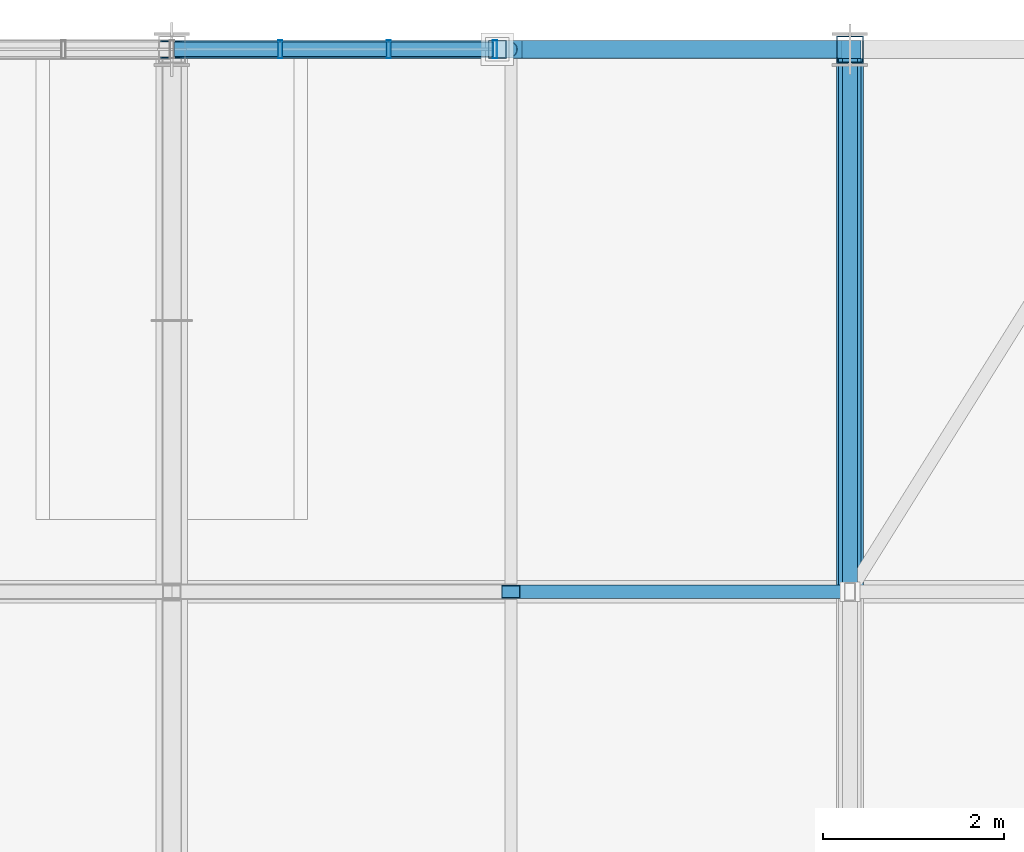
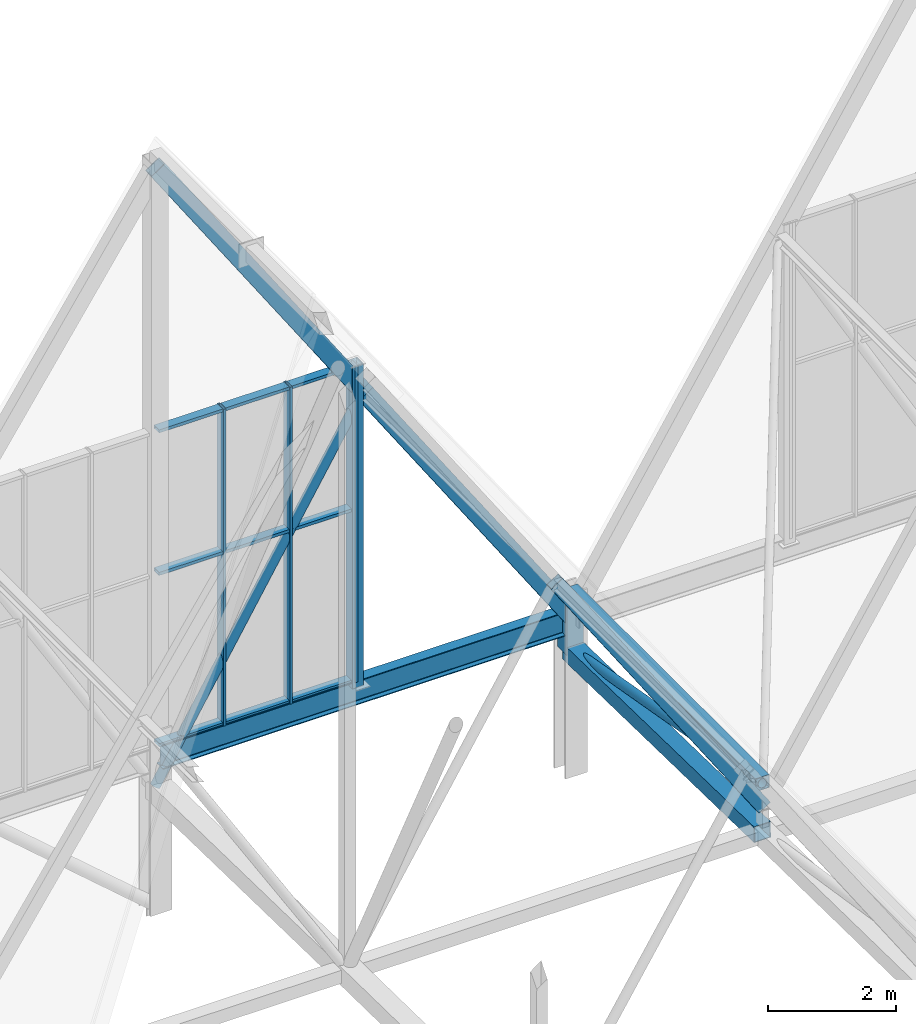
# One storey, part 109 of 324: 21 members, 1 beam, 1 element without a shape of its own.
"""IFC4 building model written with IfcOpenShell, lengths in metres."""

from ifc_helpers import new_model, si_unit, direction, frame, origin, origin_2d, place, context, subcontext, project, spatial, hollow_rectangle, hollow_circle, i_section, extrude, material, layer, layer_set, material_profile, profile_set, type_object, element, aggregate, save


model = new_model("IFC4")

# Units and contexts
model_context = context("Model", 3, precision=1e-05, world=origin(), true_north=direction((0.0, 1.0)))
body_context = subcontext(model_context, "Body", "Model", "MODEL_VIEW")
ifc_project = project(units=[si_unit("LENGTHUNIT", "METRE"), si_unit("AREAUNIT", "SQUARE_METRE"), si_unit("VOLUMEUNIT", "CUBIC_METRE"), si_unit("PLANEANGLEUNIT", "RADIAN"), si_unit("MASSUNIT", "GRAM", prefix="KILO")], contexts=[model_context])

# Site, building, storey
site_placement = place(None, origin())
site = spatial("IfcSite", under=ifc_project, at=site_placement, CompositionType="ELEMENT")
building_placement = place(site_placement, origin())
building = spatial("IfcBuilding", under=site, at=building_placement, Name="Solvenia Promenade Tram Depot", CompositionType="ELEMENT")
storey_placement = place(building_placement, frame((0.0, 0.0, 4.5)))
storey = spatial("IfcBuildingStorey", under=building, at=storey_placement, Name="L01", CompositionType="ELEMENT", Elevation=4.5)

# Curtain wall, members
ifc_material_1 = material(Name="Anodized aluminium AW-6063 T6", Category="aluminium")
ifc_layer = layer(ifc_material_1, 0.14990234375, Name="Anodized aluminium AW-6063 T6", Category="aluminium")
ifc_layer_set = layer_set([ifc_layer], Name="Anodized aluminium AW-6063 T6")
curtain_wall_type = type_object("IfcCurtainWallType", Name="CW-Gable-1200", PredefinedType="NOTDEFINED", material=ifc_layer_set)
curtain_wall_placement = place(storey_placement, origin())
curtain_wall = element("IfcCurtainWall", 1, at=curtain_wall_placement, inside=storey, type_object=curtain_wall_type, Name="North Zigzag Gable 01 Peak Glazing", PredefinedType="NOTDEFINED")
ifc_material_profile_1 = material_profile(ifc_material_1, hollow_rectangle(XDim=0.199951171875, YDim=0.048095703125, WallThickness=0.00390625, at=origin_2d()), Name="ALU-M3", Category="aluminium")
ifc_profile_set_1 = profile_set([ifc_material_profile_1], Name="Anodized aluminium AW-6063 T6")
member_type_1 = type_object("IfcMemberType", Name="CWM-Mullion-3", PredefinedType="MULLION", material=ifc_profile_set_1)
member_1_placement = place(storey_placement, frame((8.699951171875, 126.0, 3.10009765625), z_axis=(0.0, 0.0, 1.0), x_axis=(0.0, 1.0, 0.0)))
member_1 = element("IfcMember", 2, at=member_1_placement, type_object=member_type_1, Name="CW-3 mullion 5", PredefinedType="MULLION", context=body_context, shape_type="SweptSolid", body=[
    extrude(hollow_rectangle(XDim=0.199951171875, YDim=0.048095703125, WallThickness=0.00390625, at=origin_2d()), origin(), (0.0, 0.0, 1.0), 6.0498046875),
])
member_2_placement = place(storey_placement, frame((9.89990234375, 126.0, 3.10009765625), z_axis=(0.0, 0.0, 1.0), x_axis=(0.0, 1.0, 0.0)))
member_2 = element("IfcMember", 3, at=member_2_placement, type_object=member_type_1, Name="CW-3 mullion 6", PredefinedType="MULLION", context=body_context, shape_type="SweptSolid", body=[
    extrude(hollow_rectangle(XDim=0.199951171875, YDim=0.048095703125, WallThickness=0.00390625, at=origin_2d()), origin(), (0.0, 0.0, 1.0), 6.0498046875),
])
member_3_placement = place(storey_placement, frame((11.075927734375, 126.0, 3.10009765625), z_axis=(0.0, 0.0, 1.0), x_axis=(0.0, 1.0, 0.0)))
member_3 = element("IfcMember", 4, at=member_3_placement, type_object=member_type_1, Name="CW-3 mullion 7", PredefinedType="MULLION", context=body_context, shape_type="SweptSolid", body=[
    extrude(hollow_rectangle(XDim=0.199951171875, YDim=0.048095703125, WallThickness=0.00390625, at=origin_2d()), origin(), (0.0, 0.0, 1.0), 6.0498046875),
])
ifc_material_profile_2 = material_profile(ifc_material_1, hollow_rectangle(XDim=0.159912109375, YDim=0.05810546875, WallThickness=0.00390625, at=origin_2d()), Name="ALU-T3", Category="aluminium")
ifc_profile_set_2 = profile_set([ifc_material_profile_2], Name="Anodized aluminium AW-6063 T6")
member_type_2 = type_object("IfcMemberType", Name="CWT-Transom-3", PredefinedType="USERDEFINED", material=ifc_profile_set_2)
member_4_placement = place(storey_placement, frame((7.52392578125, 126.0, 3.12890625), z_axis=(1.0, 0.0, 0.0), x_axis=(0.0, 1.0, 0.0)))
member_4 = element("IfcMember", 5, at=member_4_placement, type_object=member_type_2, Name="CW-3 transom 4.1", ObjectType="TRANSOM", PredefinedType="USERDEFINED", context=body_context, shape_type="SweptSolid", body=[
    extrude(hollow_rectangle(XDim=0.159912109375, YDim=0.05810546875, WallThickness=0.00390625, at=origin_2d()), origin(), (0.0, 0.0, 1.0), 1.152099609375),
])
member_5_placement = place(storey_placement, frame((7.52392578125, 126.0, 6.39990234375), z_axis=(1.0, 0.0, 0.0), x_axis=(0.0, 1.0, 0.0)))
member_5 = element("IfcMember", 6, at=member_5_placement, type_object=member_type_2, Name="CW-3 transom 4.2", ObjectType="TRANSOM", PredefinedType="USERDEFINED", context=body_context, shape_type="SweptSolid", body=[
    extrude(hollow_rectangle(XDim=0.159912109375, YDim=0.05810546875, WallThickness=0.00390625, at=origin_2d()), origin(), (0.0, 0.0, 1.0), 1.152099609375),
])
member_6_placement = place(storey_placement, frame((7.52392578125, 126.0, 9.12109375), z_axis=(1.0, 0.0, 0.0), x_axis=(0.0, 1.0, 0.0)))
member_6 = element("IfcMember", 7, at=member_6_placement, type_object=member_type_2, Name="CW-3 transom 4.3", ObjectType="TRANSOM", PredefinedType="USERDEFINED", context=body_context, shape_type="SweptSolid", body=[
    extrude(hollow_rectangle(XDim=0.159912109375, YDim=0.05810546875, WallThickness=0.00390625, at=origin_2d()), origin(), (0.0, 0.0, 1.0), 1.152099609375),
])
member_7_placement = place(storey_placement, frame((8.72412109375, 126.0, 3.12890625), z_axis=(1.0, 0.0, 0.0), x_axis=(0.0, 1.0, 0.0)))
member_7 = element("IfcMember", 8, at=member_7_placement, type_object=member_type_2, Name="CW-3 transom 5.1", ObjectType="TRANSOM", PredefinedType="USERDEFINED", context=body_context, shape_type="SweptSolid", body=[
    extrude(hollow_rectangle(XDim=0.159912109375, YDim=0.05810546875, WallThickness=0.00390625, at=origin_2d()), origin(), (0.0, 0.0, 1.0), 1.15185546875),
])
member_8_placement = place(storey_placement, frame((8.72412109375, 126.0, 6.39990234375), z_axis=(1.0, 0.0, 0.0), x_axis=(0.0, 1.0, 0.0)))
member_8 = element("IfcMember", 9, at=member_8_placement, type_object=member_type_2, Name="CW-3 transom 5.2", ObjectType="TRANSOM", PredefinedType="USERDEFINED", context=body_context, shape_type="SweptSolid", body=[
    extrude(hollow_rectangle(XDim=0.159912109375, YDim=0.05810546875, WallThickness=0.00390625, at=origin_2d()), origin(), (0.0, 0.0, 1.0), 1.15185546875),
])
member_9_placement = place(storey_placement, frame((8.72412109375, 126.0, 9.12109375), z_axis=(1.0, 0.0, 0.0), x_axis=(0.0, 1.0, 0.0)))
member_9 = element("IfcMember", 10, at=member_9_placement, type_object=member_type_2, Name="CW-3 transom 5.3", ObjectType="TRANSOM", PredefinedType="USERDEFINED", context=body_context, shape_type="SweptSolid", body=[
    extrude(hollow_rectangle(XDim=0.159912109375, YDim=0.05810546875, WallThickness=0.00390625, at=origin_2d()), origin(), (0.0, 0.0, 1.0), 1.15185546875),
])
member_10_placement = place(storey_placement, frame((9.924072265625, 126.0, 3.12890625), z_axis=(1.0, 0.0, 0.0), x_axis=(0.0, 1.0, 0.0)))
member_10 = element("IfcMember", 11, at=member_10_placement, type_object=member_type_2, Name="CW-3 transom 6.1", ObjectType="TRANSOM", PredefinedType="USERDEFINED", context=body_context, shape_type="SweptSolid", body=[
    extrude(hollow_rectangle(XDim=0.159912109375, YDim=0.05810546875, WallThickness=0.00390625, at=origin_2d()), origin(), (0.0, 0.0, 1.0), 1.1279296875),
])
member_11_placement = place(storey_placement, frame((9.924072265625, 126.0, 6.39990234375), z_axis=(1.0, 0.0, 0.0), x_axis=(0.0, 1.0, 0.0)))
member_11 = element("IfcMember", 12, at=member_11_placement, type_object=member_type_2, Name="CW-3 transom 6.2", ObjectType="TRANSOM", PredefinedType="USERDEFINED", context=body_context, shape_type="SweptSolid", body=[
    extrude(hollow_rectangle(XDim=0.159912109375, YDim=0.05810546875, WallThickness=0.00390625, at=origin_2d()), origin(), (0.0, 0.0, 1.0), 1.1279296875),
])
member_12_placement = place(storey_placement, frame((9.924072265625, 126.0, 9.12109375), z_axis=(1.0, 0.0, 0.0), x_axis=(0.0, 1.0, 0.0)))
member_12 = element("IfcMember", 13, at=member_12_placement, type_object=member_type_2, Name="CW-3 transom 6.3", ObjectType="TRANSOM", PredefinedType="USERDEFINED", context=body_context, shape_type="SweptSolid", body=[
    extrude(hollow_rectangle(XDim=0.159912109375, YDim=0.05810546875, WallThickness=0.00390625, at=origin_2d()), origin(), (0.0, 0.0, 1.0), 1.1279296875),
])
aggregate(curtain_wall, [member_1, member_2, member_3, member_4, member_5, member_6, member_7, member_8, member_9, member_10, member_11, member_12])

# Members
ifc_material_2 = material(Name="Structural steel ASTM A500 Gr. C", Category="steel")
ifc_material_profile_3 = material_profile(ifc_material_2, hollow_rectangle(XDim=0.14990234375, YDim=0.25, WallThickness=0.010009765625, at=origin_2d()), Name="HSS250x150x10", Category="steel")
ifc_profile_set_3 = profile_set([ifc_material_profile_3], Name="Structural steel ASTM A500 Gr. C")
member_type_3 = type_object("IfcMemberType", Name="Chord-HSS250x150x10", PredefinedType="CHORD", material=ifc_profile_set_3)
member_13_placement = place(storey_placement, frame((11.25, 120.0, 8.54443359375), z_axis=(0.557276274528, 0.0, -0.830327136644), x_axis=(0.0, 1.0, 0.0)))
element("IfcMember", 14, at=member_13_placement, inside=storey, type_object=member_type_3, Name="Zigzag Gable 01 East Lower Rafter", PredefinedType="CHORD", context=body_context, shape_type="SweptSolid", body=[
    extrude(hollow_rectangle(XDim=0.14990234375, YDim=0.25, WallThickness=0.010009765625, at=origin_2d()), origin(), (0.0, 0.0, 1.0), 6.729248046875),
])
ifc_material_profile_4 = material_profile(ifc_material_2, hollow_rectangle(XDim=0.25, YDim=0.25, WallThickness=0.010009765625, at=origin_2d()), Name="HSS250x250x10", Category="steel")
ifc_profile_set_4 = profile_set([ifc_material_profile_4], Name="Structural steel ASTM A500 Gr. C")
member_type_4 = type_object("IfcMemberType", Name="Chord-HSS250x250x10", PredefinedType="CHORD", material=ifc_profile_set_4)
member_14_placement = place(storey_placement, frame((15.0, 120.0, 3.3798828125), z_axis=(0.0, 1.0, 0.0), x_axis=(-1.0, 0.0, 0.0)))
element("IfcMember", 15, at=member_14_placement, inside=storey, type_object=member_type_4, Name="Arched Truss T03 Upper Chord S10", PredefinedType="CHORD", context=body_context, shape_type="SweptSolid", body=[
    extrude(hollow_rectangle(XDim=0.25, YDim=0.25, WallThickness=0.010009765625, at=origin_2d()), origin(), (0.0, 0.0, 1.0), 6.0),
])
ifc_material_profile_5 = material_profile(ifc_material_2, hollow_rectangle(XDim=0.199951171875, YDim=0.300048828125, WallThickness=0.012451171875, at=origin_2d()), Name="HSS300x200x12.5", Category="steel")
ifc_profile_set_5 = profile_set([ifc_material_profile_5], Name="Structural steel ASTM A500 Gr. C")
member_type_5 = type_object("IfcMemberType", Name="Chord-HSS300x200x12", PredefinedType="CHORD", material=ifc_profile_set_5)
for number, where, z_axis, x_axis, name in (
    (16, (7.5, 126.0, 14.132080078125), (0.557259486914, 0.0, -0.83033840345), (0.0, 1.0, 0.0), "Zigzag Gable 01 East Upper Rafter"),
    (17, (11.25, 126.0, 8.54443359375), (0.557276274528, 0.0, -0.830327136644), (0.0, 1.0, 0.0), "Zigzag Gable 01 East Lower Rafter"),
):
    element("IfcMember", number, at=place(storey_placement, frame(where, z_axis=z_axis, x_axis=x_axis)), inside=storey, type_object=member_type_5, Name=name, PredefinedType="CHORD", context=body_context, shape_type="SweptSolid", body=[
        extrude(hollow_rectangle(XDim=0.199951171875, YDim=0.300048828125, WallThickness=0.012451171875, at=origin_2d()), origin(), (0.0, 0.0, 1.0), 6.729248046875),
    ])
ifc_material_profile_6 = material_profile(ifc_material_2, hollow_rectangle(XDim=0.300048828125, YDim=0.300048828125, WallThickness=0.012451171875, at=origin_2d()), Name="HSS300x300x12.5", Category="steel")
ifc_profile_set_6 = profile_set([ifc_material_profile_6], Name="Structural steel ASTM A500 Gr. C")
member_type_6 = type_object("IfcMemberType", Name="Chord-HSS300x300x12", PredefinedType="CHORD", material=ifc_profile_set_6)
member_15_placement = place(storey_placement, frame((15.0, 126.0, 2.320068359375), z_axis=(0.0, 0.0, 1.0), x_axis=(1.0, 0.0, 0.0)))
element("IfcMember", 18, at=member_15_placement, inside=storey, type_object=member_type_6, Name="Arched Truss T03 N End Post", PredefinedType="CHORD", context=body_context, shape_type="SweptSolid", body=[
    extrude(hollow_rectangle(XDim=0.300048828125, YDim=0.300048828125, WallThickness=0.012451171875, at=origin_2d()), origin(), (0.0, 0.0, 1.0), 1.059814453125),
])
member_16_placement = place(storey_placement, frame((15.0, 120.0, 2.446044921875), z_axis=(0.0, 0.999779654873, -0.020991467363), x_axis=(-1.0, 0.0, 0.0)))
element("IfcMember", 19, at=member_16_placement, inside=storey, type_object=member_type_6, Name="Arched Truss T03 Bottom Chord S10", PredefinedType="CHORD", context=body_context, shape_type="SweptSolid", body=[
    extrude(hollow_rectangle(XDim=0.300048828125, YDim=0.300048828125, WallThickness=0.012451171875, at=origin_2d()), origin(), (0.0, 0.0, 1.0), 6.001220703125),
])
ifc_material_profile_7 = material_profile(ifc_material_2, hollow_rectangle(XDim=0.199951171875, YDim=0.199951171875, WallThickness=0.010009765625, at=origin_2d()), Name="HSS200x200x10", Category="steel")
ifc_profile_set_7 = profile_set([ifc_material_profile_7], Name="Structural steel ASTM A500 Gr. C")
member_type_7 = type_object("IfcMemberType", Name="Post-HSS200x200x10", PredefinedType="POST", material=ifc_profile_set_7)
member_17_placement = place(storey_placement, frame((11.10009765625, 126.0, 3.0), z_axis=(0.0, 0.0, 1.0), x_axis=(1.0, 0.0, 0.0)))
element("IfcMember", 20, at=member_17_placement, inside=storey, type_object=member_type_7, Name="Gable Curtain-Wall Steel Jamb Post 002", PredefinedType="POST", context=body_context, shape_type="SweptSolid", body=[
    extrude(hollow_rectangle(XDim=0.199951171875, YDim=0.199951171875, WallThickness=0.010009765625, at=origin_2d()), origin(), (0.0, 0.0, 1.0), 6.14990234375),
])

# Beam
ifc_material_3 = material(Name="Structural steel ASTM A992 Gr. 50", Category="steel")
ifc_material_profile_8 = material_profile(ifc_material_3, i_section(OverallWidth=0.19091796875, OverallDepth=0.4599609375, WebThickness=0.010009765625, FlangeThickness=0.01611328125, FilletRadius=0.012939453125, at=origin_2d()), Name="W460x82", Category="steel")
ifc_profile_set_8 = profile_set([ifc_material_profile_8], Name="Structural steel ASTM A992 Gr. 50")
beam_type = type_object("IfcBeamType", Name="Spandrel-W460x82", PredefinedType="SPANDREL", material=ifc_profile_set_8)
beam_placement = place(storey_placement, frame((7.5849609375, 126.0, 2.889892578125), z_axis=(1.0, 0.0, 0.0), x_axis=(0.0, 1.0, 0.0)))
element("IfcBeam", 21, at=beam_placement, inside=storey, type_object=beam_type, Name="North Shed Eave Girder BM-L01-0969", PredefinedType="SPANDREL", context=body_context, shape_type="SweptSolid", body=[
    extrude(i_section(OverallWidth=0.19091796875, OverallDepth=0.4599609375, WebThickness=0.010009765625, FlangeThickness=0.01611328125, FilletRadius=0.012939453125, at=origin_2d()), origin(), (0.0, 0.0, 1.0), 7.330078125),
])

# Members
ifc_material_profile_9 = material_profile(ifc_material_2, hollow_circle(Radius=0.084228515625, WallThickness=0.008056640625, at=origin_2d()), Name="CHS168.3x8", Category="steel")
ifc_profile_set_9 = profile_set([ifc_material_profile_9], Name="Structural steel ASTM A500 Gr. C")
member_type_8 = type_object("IfcMemberType", Name="WebDiag-CHS168x8", PredefinedType="BRACE", material=ifc_profile_set_9)
member_18_placement = place(storey_placement, frame((15.0, 126.0, 2.320068359375), z_axis=(0.0, -0.984755712458, 0.173943056143), x_axis=(1.0, 0.0, 0.0)))
element("IfcMember", 22, at=member_18_placement, inside=storey, type_object=member_type_8, Name="Arched Truss T03 Web Diagonal S10", PredefinedType="BRACE", context=body_context, shape_type="SweptSolid", body=[
    extrude(hollow_circle(Radius=0.084228515625, WallThickness=0.008056640625, at=origin_2d()), origin(), (0.0, 0.0, 1.0), 6.0927734375),
])
member_19_placement = place(storey_placement, frame((7.5, 126.0, 2.320068359375), z_axis=(0.516051243619, 0.0, 0.856557711984), x_axis=(0.0, 1.0, 0.0)))
element("IfcMember", 23, at=member_19_placement, inside=storey, type_object=member_type_8, Name="Zigzag Gable 01 East Knee Strut", PredefinedType="BRACE", context=body_context, shape_type="SweptSolid", body=[
    extrude(hollow_circle(Radius=0.084228515625, WallThickness=0.008056640625, at=origin_2d()), origin(), (0.0, 0.0, 1.0), 7.2666015625),
])

save(model, "model.ifc")
